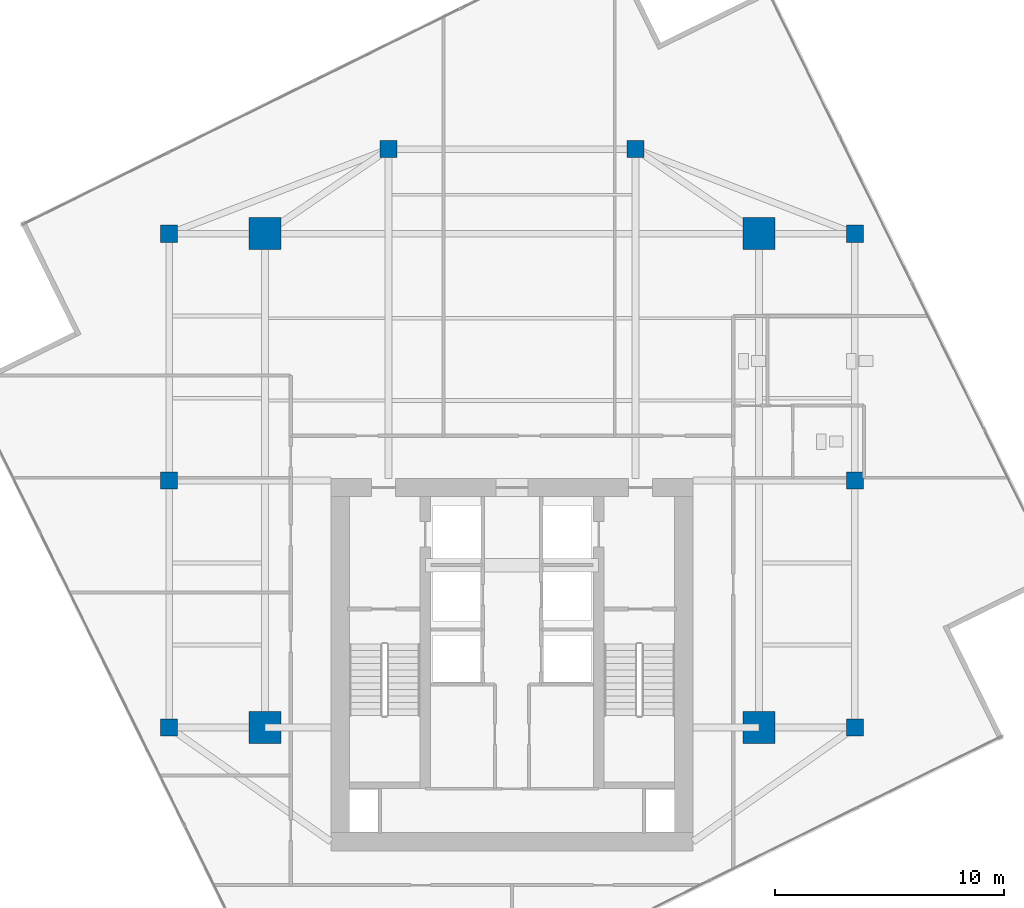
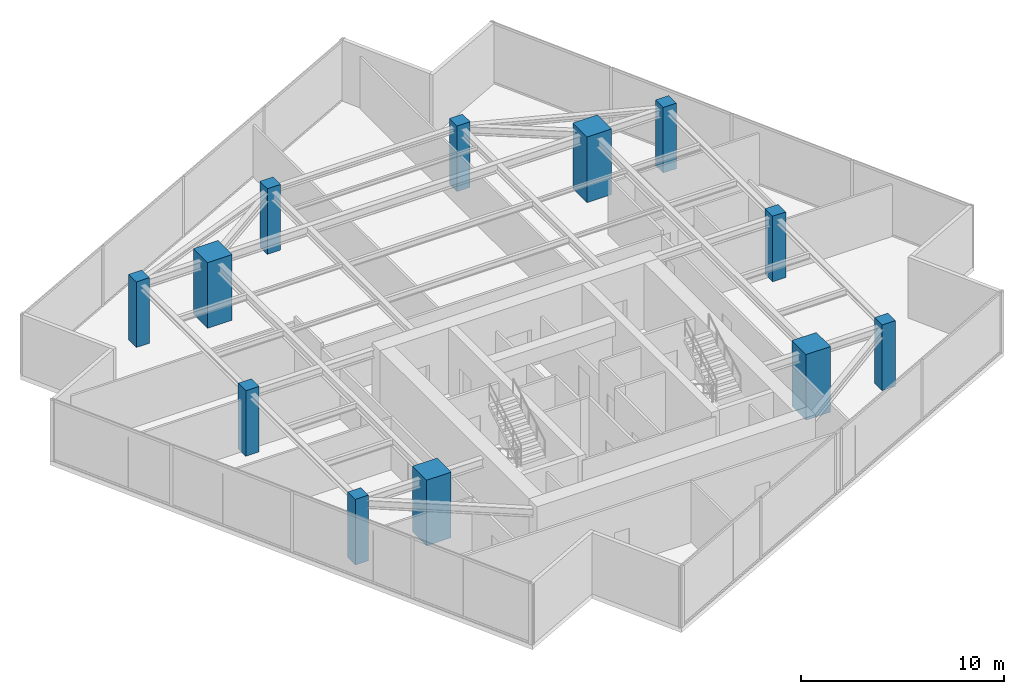
# One storey, part 1 of 22: 12 columns.
"""IFC4 building model written with IfcOpenShell, lengths in metres."""

from ifc_helpers import new_model, si_unit, direction, frame, origin, origin_2d, place, context, subcontext, project, spatial, rectangle, extrude, source, transform, mapped, material, material_profile, profile_set, type_object, type_shapes, element, save


model = new_model("IFC4")

# Units and contexts
model_context = context("Model", 3, precision=1e-05, world=origin(), true_north=direction((0.0, 1.0)))
body_context = subcontext(model_context, "Body", "Model", "MODEL_VIEW")
ifc_project = project(units=[si_unit("LENGTHUNIT", "METRE"), si_unit("AREAUNIT", "SQUARE_METRE"), si_unit("VOLUMEUNIT", "CUBIC_METRE"), si_unit("PLANEANGLEUNIT", "RADIAN"), si_unit("MASSUNIT", "GRAM", prefix="KILO")], contexts=[model_context])

# Site, building, storey
site_placement = place(None, origin())
site = spatial("IfcSite", under=ifc_project, at=site_placement, CompositionType="ELEMENT")
building_placement = place(site_placement, origin())
building = spatial("IfcBuilding", under=site, at=building_placement, Name="Krantzveldt Concourse Tower", CompositionType="ELEMENT")
storey_placement = place(building_placement, frame((0.0, 0.0, 310.85009765625)))
storey = spatial("IfcBuildingStorey", under=building, at=storey_placement, Name="L76", CompositionType="ELEMENT", Elevation=310.85009765625)

# Columns
ifc_material = material(Name="Concrete C50/60", Category="concrete")
ifc_material_profile_1 = material_profile(ifc_material, rectangle(XDim=1.39990234375, YDim=1.39990234375, at=origin_2d()), Name="Concrete C50/60", Category="concrete")
ifc_profile_set_1 = profile_set([ifc_material_profile_1], Name="Concrete C50/60 - RC 1400x1400")
column_type_1 = type_object("IfcColumnType", Name="COL-MC-1400", PredefinedType="USERDEFINED", material=ifc_profile_set_1)
shared_shape_1 = source(origin(), body_context, "Body", "SweptSolid", [
    extrude(rectangle(XDim=1.39990234375, YDim=1.39990234375, at=origin_2d()), origin(), (0.0, 0.0, 1.0), 3.949951171875),
])
type_shapes(column_type_1, [shared_shape_1])
for number, where, z_axis, x_axis, name in (
    (1, (25.199951171875, 15.89990234375, 0.0), (0.0, 0.0, 1.0), (1.0, 0.0, 0.0), "MC-SW-L76"),
    (2, (46.800048828125, 15.89990234375, 0.0), (0.0, 0.0, 1.0), (1.0, 0.0, 0.0), "MC-SE-L76"),
    (3, (46.800048828125, 37.5, 0.0), (0.0, 0.0, 1.0), (1.0, 0.0, 0.0), "MC-NE-L76"),
    (4, (25.199951171875, 37.5, 0.0), (0.0, 0.0, 1.0), (1.0, 0.0, 0.0), "MC-NW-L76"),
):
    element("IfcColumn", number, at=place(storey_placement, frame(where, z_axis=z_axis, x_axis=x_axis)), inside=storey, type_object=column_type_1, Name=name, ObjectType="MEGA COLUMN", PredefinedType="USERDEFINED", context=body_context, shape_type="MappedRepresentation", body=[
        mapped(shared_shape_1, transform((0.0, 0.0, 0.0), x_axis=(1.0, 0.0, 0.0), y_axis=(0.0, 1.0, 0.0), z_axis=(0.0, 0.0, 1.0), scale=1.0)),
    ])
ifc_material_profile_2 = material_profile(ifc_material, rectangle(XDim=0.75, YDim=0.75, at=origin_2d()), Name="Concrete C50/60", Category="concrete")
ifc_profile_set_2 = profile_set([ifc_material_profile_2], Name="Concrete C50/60 - RC 750x750")
column_type_2 = type_object("IfcColumnType", Name="COL-C-Z5", PredefinedType="COLUMN", material=ifc_profile_set_2)
shared_shape_2 = source(origin(), body_context, "Body", "SweptSolid", [
    extrude(rectangle(XDim=0.75, YDim=0.75, at=origin_2d()), origin(), (0.0, 0.0, 1.0), 3.949951171875),
])
type_shapes(column_type_2, [shared_shape_2])
for number, where, z_axis, x_axis, name in (
    (5, (21.0, 15.89990234375, 0.0), (0.0, 0.0, 1.0), (1.0, 0.0, 0.0), "PC-R01-L76"),
    (6, (21.0, 26.699951171875, 0.0), (0.0, 0.0, 1.0), (1.0, 0.0, 0.0), "PC-R02-L76"),
    (7, (21.0, 37.5, 0.0), (0.0, 0.0, 1.0), (1.0, 0.0, 0.0), "PC-R03-L76"),
    (8, (30.60009765625, 41.199951171875, 0.0), (0.0, 0.0, 1.0), (1.0, 0.0, 0.0), "PC-R04-L76"),
    (9, (41.39990234375, 41.199951171875, 0.0), (0.0, 0.0, 1.0), (1.0, 0.0, 0.0), "PC-R05-L76"),
    (10, (51.0, 37.5, 0.0), (0.0, 0.0, 1.0), (1.0, 0.0, 0.0), "PC-R06-L76"),
    (11, (51.0, 26.699951171875, 0.0), (0.0, 0.0, 1.0), (1.0, 0.0, 0.0), "PC-R07-L76"),
    (12, (51.0, 15.89990234375, 0.0), (0.0, 0.0, 1.0), (1.0, 0.0, 0.0), "PC-R08-L76"),
):
    element("IfcColumn", number, at=place(storey_placement, frame(where, z_axis=z_axis, x_axis=x_axis)), inside=storey, type_object=column_type_2, Name=name, PredefinedType="COLUMN", context=body_context, shape_type="MappedRepresentation", body=[
        mapped(shared_shape_2, transform((0.0, 0.0, 0.0), x_axis=(1.0, 0.0, 0.0), y_axis=(0.0, 1.0, 0.0), z_axis=(0.0, 0.0, 1.0), scale=1.0)),
    ])

save(model, "model.ifc")
